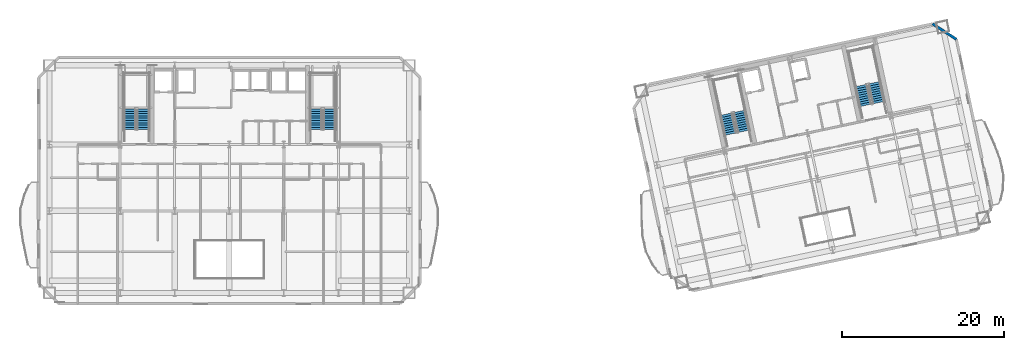
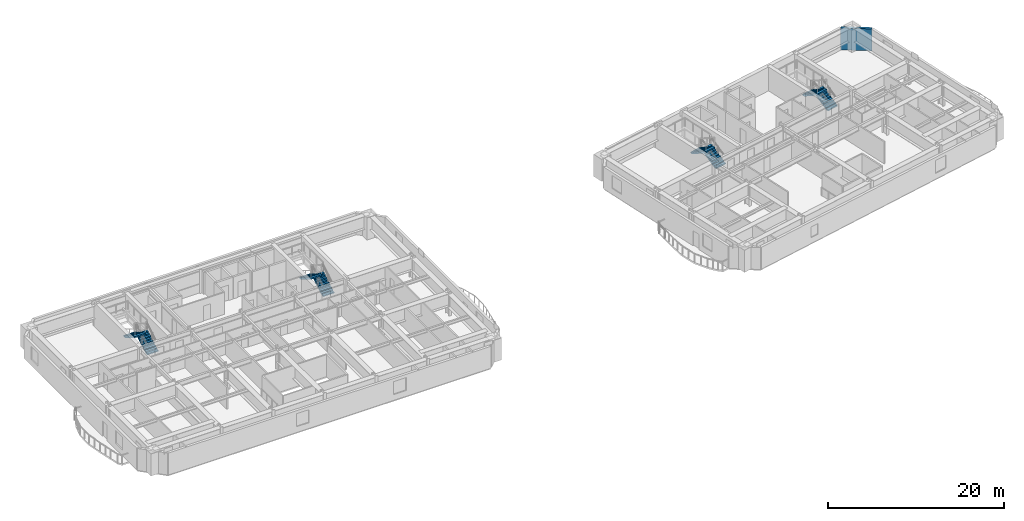
# One storey, part 11 of 15: 8 stair flights, 1 wall, 4 elements without a shape of their own.
"""IFC4 building model written with IfcOpenShell, lengths in metres."""

from ifc_helpers import new_model, si_unit, direction, frame, frame_2d, origin, place, context, subcontext, project, spatial, polyline, rectangle, outline, extrude, material, layer, layer_set, type_object, element, aggregate, save


model = new_model("IFC4")

# Units and contexts
model_context = context("Model", 3, precision=1e-05, world=origin(), true_north=direction((0.0, 1.0)))
body_context = subcontext(model_context, "Body", "Model", "MODEL_VIEW")
ifc_project = project(units=[si_unit("LENGTHUNIT", "METRE"), si_unit("AREAUNIT", "SQUARE_METRE"), si_unit("VOLUMEUNIT", "CUBIC_METRE"), si_unit("PLANEANGLEUNIT", "RADIAN"), si_unit("MASSUNIT", "GRAM", prefix="KILO")], contexts=[model_context])

# Site, building, storey
site_placement = place(None, origin())
site = spatial("IfcSite", under=ifc_project, at=site_placement, CompositionType="ELEMENT")
building_placement = place(site_placement, origin())
building = spatial("IfcBuilding", under=site, at=building_placement, Name="Haevon Station Towers", CompositionType="ELEMENT")
storey_placement = place(building_placement, frame((0.0, 0.0, 109.800048828125)))
storey = spatial("IfcBuildingStorey", under=building, at=storey_placement, Name="L29", CompositionType="ELEMENT", Elevation=109.800048828125)

# Wall
ifc_material_1 = material(Name="Precast concrete C45/55", Category="concrete")
ifc_layer = layer(ifc_material_1, 0.320068359375)
ifc_layer_set = layer_set([ifc_layer], Name="Precast concrete C45/55")
wall_type = type_object("IfcWallType", Name="WL-EXT-PIER320", PredefinedType="SOLIDWALL", material=ifc_layer_set)
wall_placement = place(storey_placement, frame((124.45263671875, 53.128662109375, 0.0), z_axis=(0.0, 0.0, 1.0), x_axis=(0.838640767148, -0.544684921471, 0.0)))
element("IfcWall", 1, at=wall_placement, inside=storey, type_object=wall_type, Name="WL-T2-L29-NEC", PredefinedType="SOLIDWALL", context=body_context, shape_type="SweptSolid", body=[
    extrude(rectangle(XDim=3.53564453125, YDim=0.320068359375, at=frame_2d((1.767822265625, 0.0))), origin(), (0.0, 0.0, 1.0), 3.030029296875),
])

# Stair, stair flights
ifc_material_2 = material(Name="Concrete C40/50", Category="concrete")
stair_type = type_object("IfcStairType", Name="STR-DL1450", PredefinedType="USERDEFINED", material=ifc_material_2)
stair_1_placement = place(storey_placement, origin())
stair_1 = element("IfcStair", 2, at=stair_1_placement, inside=storey, type_object=stair_type, Name="L29 Escape Stair ST1", ObjectType="TWO_RETURN_STAIR", PredefinedType="USERDEFINED")
stair_flight_type = type_object("IfcStairFlightType", Name="STF-ST1450", PredefinedType="STRAIGHT", material=ifc_material_2)
stair_flight_1_placement = place(storey_placement, frame((26.85498046875, 40.050048828125, 0.0), z_axis=(0.0, 0.0, 1.0), x_axis=(0.0, 1.0, 0.0)))
stair_flight_1 = element("IfcStairFlight", 3, at=stair_flight_1_placement, type_object=stair_flight_type, Name="L29 ST1 Flight 1", NumberOfRisers=10, NumberOfTreads=9, PredefinedType="STRAIGHT", RiserHeight=0.165, TreadLength=0.28, context=body_context, shape_type="SweptSolid", body=[
    extrude(outline(polyline([(0.0, 0.0), (0.0, 0.1650390625), (0.280029296875, 0.1650390625), (0.280029296875, 0.330078125), (0.56005859375, 0.330078125), (0.56005859375, 0.4951171875), (0.840087890625, 0.4951171875), (0.840087890625, 0.659912109375), (1.1201171875, 0.659912109375), (1.1201171875, 0.824951171875), (1.39990234375, 0.824951171875), (1.39990234375, 0.989990234375), (1.679931640625, 0.989990234375), (1.679931640625, 1.155029296875), (1.9599609375, 1.155029296875), (1.9599609375, 1.320068359375), (2.239990234375, 1.320068359375), (2.239990234375, 1.485107421875), (2.52001953125, 1.485107421875), (2.52001953125, 1.64990234375), (2.52001953125, 1.29931640625), (0.31494140625, 0.0), (0.0, 0.0)])), frame((0.0, 0.72509765625, 0.0), z_axis=(0.0, -1.0, 0.0), x_axis=(1.0, 0.0, 0.0)), (0.0, 0.0, 1.0), 1.449951171875),
])
stair_flight_2_placement = place(storey_placement, frame((25.205078125, 42.570068359375, 1.64990234375), z_axis=(0.0, 0.0, 1.0), x_axis=(0.0, -1.0, 0.0)))
stair_flight_2 = element("IfcStairFlight", 4, at=stair_flight_2_placement, type_object=stair_flight_type, Name="L29 ST1 Flight 2", NumberOfRisers=10, NumberOfTreads=9, PredefinedType="STRAIGHT", RiserHeight=0.165, TreadLength=0.28, context=body_context, shape_type="SweptSolid", body=[
    extrude(outline(polyline([(0.0, 0.0), (0.0, 0.1650390625), (0.280029296875, 0.1650390625), (0.280029296875, 0.330078125), (0.56005859375, 0.330078125), (0.56005859375, 0.4951171875), (0.840087890625, 0.4951171875), (0.840087890625, 0.659912109375), (1.1201171875, 0.659912109375), (1.1201171875, 0.824951171875), (1.39990234375, 0.824951171875), (1.39990234375, 0.989990234375), (1.679931640625, 0.989990234375), (1.679931640625, 1.155029296875), (1.9599609375, 1.155029296875), (1.9599609375, 1.320068359375), (2.239990234375, 1.320068359375), (2.239990234375, 1.485107421875), (2.52001953125, 1.485107421875), (2.52001953125, 1.64990234375), (2.52001953125, 1.29931640625), (0.31494140625, 0.0), (0.0, 0.0)])), frame((0.0, 0.72509765625, 0.0), z_axis=(0.0, -1.0, 0.0), x_axis=(1.0, 0.0, 0.0)), (0.0, 0.0, 1.0), 1.449951171875),
])
aggregate(stair_1, [stair_flight_1, stair_flight_2])

stair_2_placement = place(storey_placement, origin())
stair_2 = element("IfcStair", 5, at=stair_2_placement, inside=storey, type_object=stair_type, Name="L29 Escape Stair ST2", ObjectType="TWO_RETURN_STAIR", PredefinedType="USERDEFINED")
stair_flight_3_placement = place(storey_placement, frame((49.89501953125, 40.050048828125, 0.0), z_axis=(0.0, 0.0, 1.0), x_axis=(0.0, 1.0, 0.0)))
stair_flight_3 = element("IfcStairFlight", 6, at=stair_flight_3_placement, type_object=stair_flight_type, Name="L29 ST2 Flight 1", NumberOfRisers=10, NumberOfTreads=9, PredefinedType="STRAIGHT", RiserHeight=0.165, TreadLength=0.28, context=body_context, shape_type="SweptSolid", body=[
    extrude(outline(polyline([(0.0, 0.0), (0.0, 0.1650390625), (0.280029296875, 0.1650390625), (0.280029296875, 0.330078125), (0.56005859375, 0.330078125), (0.56005859375, 0.4951171875), (0.840087890625, 0.4951171875), (0.840087890625, 0.659912109375), (1.1201171875, 0.659912109375), (1.1201171875, 0.824951171875), (1.39990234375, 0.824951171875), (1.39990234375, 0.989990234375), (1.679931640625, 0.989990234375), (1.679931640625, 1.155029296875), (1.9599609375, 1.155029296875), (1.9599609375, 1.320068359375), (2.239990234375, 1.320068359375), (2.239990234375, 1.485107421875), (2.52001953125, 1.485107421875), (2.52001953125, 1.64990234375), (2.52001953125, 1.29931640625), (0.31494140625, 0.0), (0.0, 0.0)])), frame((0.0, 0.72509765625, 0.0), z_axis=(0.0, -1.0, 0.0), x_axis=(1.0, 0.0, 0.0)), (0.0, 0.0, 1.0), 1.449951171875),
])
stair_flight_4_placement = place(storey_placement, frame((48.2451171875, 42.570068359375, 1.64990234375), z_axis=(0.0, 0.0, 1.0), x_axis=(0.0, -1.0, 0.0)))
stair_flight_4 = element("IfcStairFlight", 7, at=stair_flight_4_placement, type_object=stair_flight_type, Name="L29 ST2 Flight 2", NumberOfRisers=10, NumberOfTreads=9, PredefinedType="STRAIGHT", RiserHeight=0.165, TreadLength=0.28, context=body_context, shape_type="SweptSolid", body=[
    extrude(outline(polyline([(0.0, 0.0), (0.0, 0.1650390625), (0.280029296875, 0.1650390625), (0.280029296875, 0.330078125), (0.56005859375, 0.330078125), (0.56005859375, 0.4951171875), (0.840087890625, 0.4951171875), (0.840087890625, 0.659912109375), (1.1201171875, 0.659912109375), (1.1201171875, 0.824951171875), (1.39990234375, 0.824951171875), (1.39990234375, 0.989990234375), (1.679931640625, 0.989990234375), (1.679931640625, 1.155029296875), (1.9599609375, 1.155029296875), (1.9599609375, 1.320068359375), (2.239990234375, 1.320068359375), (2.239990234375, 1.485107421875), (2.52001953125, 1.485107421875), (2.52001953125, 1.64990234375), (2.52001953125, 1.29931640625), (0.31494140625, 0.0), (0.0, 0.0)])), frame((0.0, 0.72509765625, 0.0), z_axis=(0.0, -1.0, 0.0), x_axis=(1.0, 0.0, 0.0)), (0.0, 0.0, 1.0), 1.449951171875),
])
aggregate(stair_2, [stair_flight_3, stair_flight_4])

stair_3_placement = place(storey_placement, origin())
stair_3 = element("IfcStair", 8, at=stair_3_placement, inside=storey, type_object=stair_type, Name="L29 Escape Stair ST3", ObjectType="TWO_RETURN_STAIR", PredefinedType="USERDEFINED")
stair_flight_5_placement = place(storey_placement, frame((101.1015625, 39.8330078125, 0.0), z_axis=(0.0, 0.0, 1.0), x_axis=(-0.207911690818, 0.978147600734, 0.0)))
stair_flight_5 = element("IfcStairFlight", 9, at=stair_flight_5_placement, type_object=stair_flight_type, Name="L29 ST3 Flight 1", NumberOfRisers=10, NumberOfTreads=9, PredefinedType="STRAIGHT", RiserHeight=0.165, TreadLength=0.28, context=body_context, shape_type="SweptSolid", body=[
    extrude(outline(polyline([(0.0, 0.0), (0.0, 0.1650390625), (0.280029296875, 0.1650390625), (0.280029296875, 0.330078125), (0.56005859375, 0.330078125), (0.56005859375, 0.4951171875), (0.840087890625, 0.4951171875), (0.840087890625, 0.659912109375), (1.1201171875, 0.659912109375), (1.1201171875, 0.824951171875), (1.39990234375, 0.824951171875), (1.39990234375, 0.989990234375), (1.679931640625, 0.989990234375), (1.679931640625, 1.155029296875), (1.9599609375, 1.155029296875), (1.9599609375, 1.320068359375), (2.239990234375, 1.320068359375), (2.239990234375, 1.485107421875), (2.52001953125, 1.485107421875), (2.52001953125, 1.64990234375), (2.52001953125, 1.29931640625), (0.31494140625, 0.0), (0.0, 0.0)])), frame((0.0, 0.72509765625, 0.0), z_axis=(0.0, -1.0, 0.0), x_axis=(1.0, 0.0, 0.0)), (0.0, 0.0, 1.0), 1.449951171875),
])
stair_flight_6_placement = place(storey_placement, frame((98.9638671875, 41.955078125, 1.64990234375), z_axis=(0.0, 0.0, 1.0), x_axis=(0.207911690818, -0.978147600734, 0.0)))
stair_flight_6 = element("IfcStairFlight", 10, at=stair_flight_6_placement, type_object=stair_flight_type, Name="L29 ST3 Flight 2", NumberOfRisers=10, NumberOfTreads=9, PredefinedType="STRAIGHT", RiserHeight=0.165, TreadLength=0.28, context=body_context, shape_type="SweptSolid", body=[
    extrude(outline(polyline([(0.0, 0.0), (0.0, 0.1650390625), (0.280029296875, 0.1650390625), (0.280029296875, 0.330078125), (0.56005859375, 0.330078125), (0.56005859375, 0.4951171875), (0.840087890625, 0.4951171875), (0.840087890625, 0.659912109375), (1.1201171875, 0.659912109375), (1.1201171875, 0.824951171875), (1.39990234375, 0.824951171875), (1.39990234375, 0.989990234375), (1.679931640625, 0.989990234375), (1.679931640625, 1.155029296875), (1.9599609375, 1.155029296875), (1.9599609375, 1.320068359375), (2.239990234375, 1.320068359375), (2.239990234375, 1.485107421875), (2.52001953125, 1.485107421875), (2.52001953125, 1.64990234375), (2.52001953125, 1.29931640625), (0.31494140625, 0.0), (0.0, 0.0)])), frame((0.0, 0.72509765625, 0.0), z_axis=(0.0, -1.0, 0.0), x_axis=(1.0, 0.0, 0.0)), (0.0, 0.0, 1.0), 1.449951171875),
])
aggregate(stair_3, [stair_flight_5, stair_flight_6])

stair_4_placement = place(storey_placement, origin())
stair_4 = element("IfcStair", 11, at=stair_4_placement, inside=storey, type_object=stair_type, Name="L29 Escape Stair ST4", ObjectType="TWO_RETURN_STAIR", PredefinedType="USERDEFINED")
stair_flight_7_placement = place(storey_placement, frame((117.788818359375, 43.380126953125, 0.0), z_axis=(0.0, 0.0, 1.0), x_axis=(-0.207911690818, 0.978147600734, 0.0)))
stair_flight_7 = element("IfcStairFlight", 12, at=stair_flight_7_placement, type_object=stair_flight_type, Name="L29 ST4 Flight 1", NumberOfRisers=10, NumberOfTreads=9, PredefinedType="STRAIGHT", RiserHeight=0.165, TreadLength=0.28, context=body_context, shape_type="SweptSolid", body=[
    extrude(outline(polyline([(0.0, 0.0), (0.0, 0.1650390625), (0.280029296875, 0.1650390625), (0.280029296875, 0.330078125), (0.56005859375, 0.330078125), (0.56005859375, 0.4951171875), (0.840087890625, 0.4951171875), (0.840087890625, 0.659912109375), (1.1201171875, 0.659912109375), (1.1201171875, 0.824951171875), (1.39990234375, 0.824951171875), (1.39990234375, 0.989990234375), (1.679931640625, 0.989990234375), (1.679931640625, 1.155029296875), (1.9599609375, 1.155029296875), (1.9599609375, 1.320068359375), (2.239990234375, 1.320068359375), (2.239990234375, 1.485107421875), (2.52001953125, 1.485107421875), (2.52001953125, 1.64990234375), (2.52001953125, 1.29931640625), (0.31494140625, 0.0), (0.0, 0.0)])), frame((0.0, 0.72509765625, 0.0), z_axis=(0.0, -1.0, 0.0), x_axis=(1.0, 0.0, 0.0)), (0.0, 0.0, 1.0), 1.449951171875),
])
stair_flight_8_placement = place(storey_placement, frame((115.65087890625, 45.501953125, 1.64990234375), z_axis=(0.0, 0.0, 1.0), x_axis=(0.207911690818, -0.978147600734, 0.0)))
stair_flight_8 = element("IfcStairFlight", 13, at=stair_flight_8_placement, type_object=stair_flight_type, Name="L29 ST4 Flight 2", NumberOfRisers=10, NumberOfTreads=9, PredefinedType="STRAIGHT", RiserHeight=0.165, TreadLength=0.28, context=body_context, shape_type="SweptSolid", body=[
    extrude(outline(polyline([(0.0, 0.0), (0.0, 0.1650390625), (0.280029296875, 0.1650390625), (0.280029296875, 0.330078125), (0.56005859375, 0.330078125), (0.56005859375, 0.4951171875), (0.840087890625, 0.4951171875), (0.840087890625, 0.659912109375), (1.1201171875, 0.659912109375), (1.1201171875, 0.824951171875), (1.39990234375, 0.824951171875), (1.39990234375, 0.989990234375), (1.679931640625, 0.989990234375), (1.679931640625, 1.155029296875), (1.9599609375, 1.155029296875), (1.9599609375, 1.320068359375), (2.239990234375, 1.320068359375), (2.239990234375, 1.485107421875), (2.52001953125, 1.485107421875), (2.52001953125, 1.64990234375), (2.52001953125, 1.29931640625), (0.31494140625, 0.0), (0.0, 0.0)])), frame((0.0, 0.72509765625, 0.0), z_axis=(0.0, -1.0, 0.0), x_axis=(1.0, 0.0, 0.0)), (0.0, 0.0, 1.0), 1.449951171875),
])
aggregate(stair_4, [stair_flight_7, stair_flight_8])

save(model, "model.ifc")
